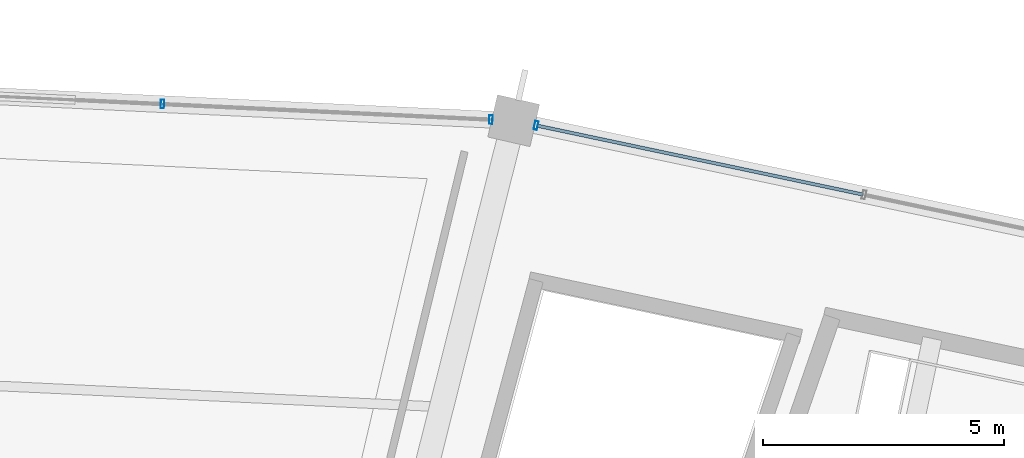
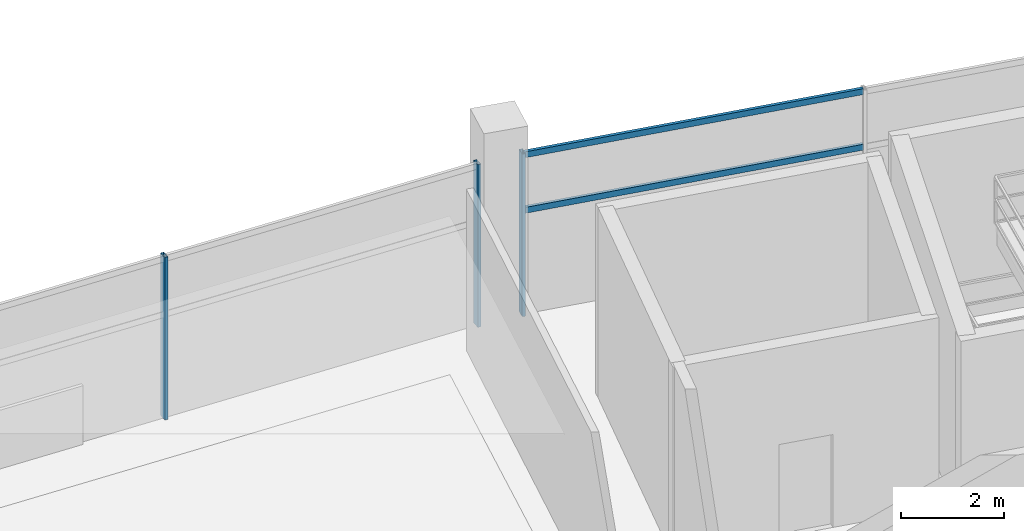
# One storey, part 87 of 156: 5 members, 2 elements without a shape of their own.
"""IFC4 building model written with IfcOpenShell, lengths in metres."""

from ifc_helpers import new_model, si_unit, direction, frame, origin, origin_2d, place, context, subcontext, project, spatial, hollow_rectangle, extrude, material, layer, layer_set, material_profile, profile_set, type_object, element, aggregate, save


model = new_model("IFC4")

# Units and contexts
model_context = context("Model", 3, precision=1e-05, world=origin(), true_north=direction((0.0, 1.0)))
body_context = subcontext(model_context, "Body", "Model", "MODEL_VIEW")
ifc_project = project(units=[si_unit("LENGTHUNIT", "METRE"), si_unit("AREAUNIT", "SQUARE_METRE"), si_unit("VOLUMEUNIT", "CUBIC_METRE"), si_unit("PLANEANGLEUNIT", "RADIAN"), si_unit("MASSUNIT", "GRAM", prefix="KILO")], contexts=[model_context])

# Site, building, storey
site_placement = place(None, origin())
site = spatial("IfcSite", under=ifc_project, at=site_placement, CompositionType="ELEMENT")
building_placement = place(site_placement, origin())
building = spatial("IfcBuilding", under=site, at=building_placement, Name="Kazemori Nagisa Stadium", CompositionType="ELEMENT")
storey_placement = place(building_placement, frame((0.0, 0.0, 5.780029296875)))
storey = spatial("IfcBuildingStorey", under=building, at=storey_placement, Name="L01", CompositionType="ELEMENT", Elevation=5.780029296875)

# Curtain wall, member
ifc_material_1 = material(Name="Anodised aluminium 6063-T5", Category="aluminium")
ifc_layer_1 = layer(ifc_material_1, 0.179931640625, Name="Anodised aluminium 6063-T5", Category="aluminium")
ifc_layer_set_1 = layer_set([ifc_layer_1], Name="Anodised aluminium 6063-T5")
curtain_wall_type_1 = type_object("IfcCurtainWallType", Name="CW_L01R3_105", PredefinedType="USERDEFINED", material=ifc_layer_set_1)
curtain_wall_1_placement = place(storey_placement, origin())
curtain_wall_1 = element("IfcCurtainWall", 1, at=curtain_wall_1_placement, inside=storey, type_object=curtain_wall_type_1, Name="Unitised curtain wall CW-L01R3-105 L01", ObjectType="UNITISED CURTAIN WALL", PredefinedType="USERDEFINED")
ifc_material_2 = material(Name="Aluminium 6063-T5 anodised", Category="aluminium")
ifc_material_profile_1 = material_profile(ifc_material_2, hollow_rectangle(XDim=0.070068359375, YDim=0.179931640625, WallThickness=0.00390625, at=origin_2d()), Name="ALU-MULL-70x180x4")
ifc_profile_set_1 = profile_set([ifc_material_profile_1], Name="Aluminium 6063-T5 anodised")
member_type_1 = type_object("IfcMemberType", Name="Mullion_M01", PredefinedType="MULLION", material=ifc_profile_set_1)
member_1_placement = place(storey_placement, frame((144.892333984375, 186.888427734375, 0.0), z_axis=(0.0, 0.0, 1.0), x_axis=(-0.978344955407, 0.206981033502, 0.0)))
member_1 = element("IfcMember", 2, at=member_1_placement, type_object=member_type_1, Name="Curtain wall mullion CW-L01R3-105-M4", PredefinedType="MULLION", context=body_context, shape_type="SweptSolid", body=[
    extrude(hollow_rectangle(XDim=0.070068359375, YDim=0.179931640625, WallThickness=0.00390625, at=origin_2d()), origin(), (0.0, 0.0, 1.0), 3.849853515625),
])

# Curtain wall, members
ifc_layer_2 = layer(ifc_material_1, 0.179931640625, Name="Anodised aluminium 6063-T5", Category="aluminium")
ifc_layer_set_2 = layer_set([ifc_layer_2], Name="Anodised aluminium 6063-T5")
curtain_wall_type_2 = type_object("IfcCurtainWallType", Name="CW_L01R3_103", PredefinedType="USERDEFINED", material=ifc_layer_set_2)
curtain_wall_2_placement = place(storey_placement, origin())
curtain_wall_2 = element("IfcCurtainWall", 3, at=curtain_wall_2_placement, inside=storey, type_object=curtain_wall_type_2, Name="Unitised curtain wall CW-L01R3-103 L01", ObjectType="UNITISED CURTAIN WALL", PredefinedType="USERDEFINED")
member_2_placement = place(storey_placement, frame((143.953125, 187.00927734375, 0.0), z_axis=(0.0, 0.0, 1.0), x_axis=(-0.998884022476, 0.047230388971, 0.0)))
member_2 = element("IfcMember", 4, at=member_2_placement, type_object=member_type_1, Name="Curtain wall mullion CW-L01R3-103-M1", PredefinedType="MULLION", context=body_context, shape_type="SweptSolid", body=[
    extrude(hollow_rectangle(XDim=0.070068359375, YDim=0.179931640625, WallThickness=0.00390625, at=origin_2d()), origin(), (0.0, 0.0, 1.0), 3.849853515625),
])
member_3_placement = place(storey_placement, frame((137.126953125, 187.33203125, 0.0), z_axis=(0.0, 0.0, 1.0), x_axis=(-0.998884022476, 0.047230388971, 0.0)))
member_3 = element("IfcMember", 5, at=member_3_placement, type_object=member_type_1, Name="Curtain wall mullion CW-L01R3-103-M2", PredefinedType="MULLION", context=body_context, shape_type="SweptSolid", body=[
    extrude(hollow_rectangle(XDim=0.070068359375, YDim=0.179931640625, WallThickness=0.00390625, at=origin_2d()), origin(), (0.0, 0.0, 1.0), 3.849853515625),
])
aggregate(curtain_wall_2, [member_2, member_3])

# Member
ifc_material_profile_2 = material_profile(ifc_material_2, hollow_rectangle(XDim=0.070068359375, YDim=0.139892578125, WallThickness=0.00390625, at=origin_2d()), Name="ALU-TRAN-70x140x4")
ifc_profile_set_2 = profile_set([ifc_material_profile_2], Name="Aluminium 6063-T5 anodised")
member_type_2 = type_object("IfcMemberType", Name="Transom_T01", PredefinedType="USERDEFINED", material=ifc_profile_set_2)
member_4_placement = place(storey_placement, frame((151.688720703125, 185.45068359375, 2.4638671875), z_axis=(-0.978348879673, 0.20696248366, 0.0), x_axis=(-0.20696248366, -0.978348879673, 0.0)))
member_4 = element("IfcMember", 6, at=member_4_placement, type_object=member_type_2, Name="Curtain wall transom CW-L01R3-105-T3-mid", ObjectType="TRANSOM", PredefinedType="USERDEFINED", context=body_context, shape_type="SweptSolid", body=[
    extrude(hollow_rectangle(XDim=0.070068359375, YDim=0.139892578125, WallThickness=0.00390625, at=origin_2d()), origin(), (0.0, 0.0, 1.0), 6.9267578125),
])

member_5_placement = place(storey_placement, frame((151.688720703125, 185.45068359375, 3.780029296875), z_axis=(-0.978348879673, 0.20696248366, 0.0), x_axis=(-0.20696248366, -0.978348879673, 0.0)))
member_5 = element("IfcMember", 7, at=member_5_placement, type_object=member_type_2, Name="Curtain wall transom CW-L01R3-105-T3-head", ObjectType="TRANSOM", PredefinedType="USERDEFINED", context=body_context, shape_type="SweptSolid", body=[
    extrude(hollow_rectangle(XDim=0.070068359375, YDim=0.139892578125, WallThickness=0.00390625, at=origin_2d()), origin(), (0.0, 0.0, 1.0), 6.9267578125),
])

aggregate(curtain_wall_1, [member_1, member_4, member_5])

save(model, "model.ifc")
